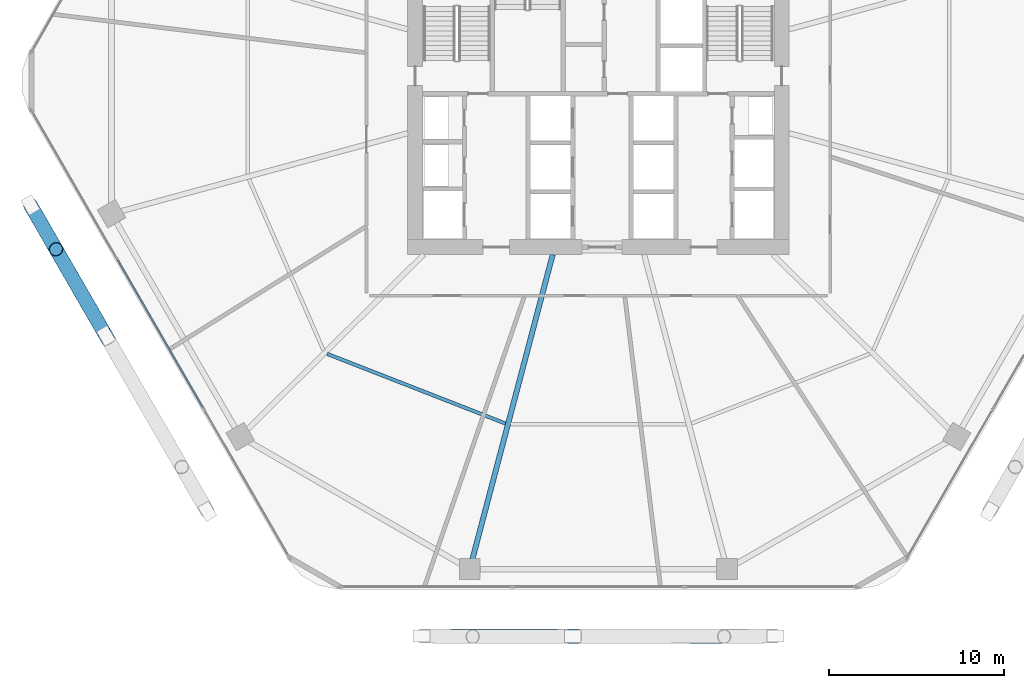
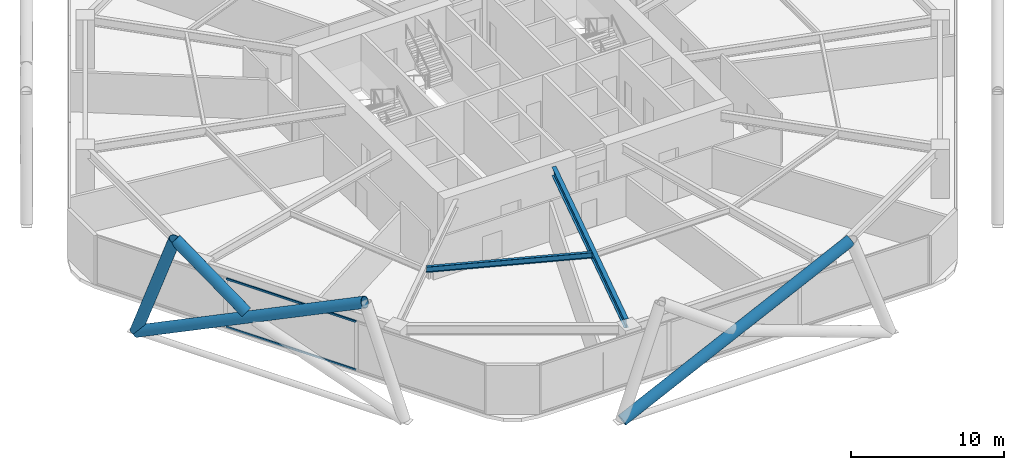
# One storey, part 4 of 28: 6 members, 2 beams, 1 element without a shape of its own.
"""IFC4 building model written with IfcOpenShell, lengths in metres."""

import ifcopenshell
import ifcopenshell.guid

model = None  # the IFC model being written
_history = None  # IfcOwnerHistory: only IFC2X3 demands one
_inside = {}  # id of a spatial element -> (the spatial element, [elements in it])
_under = {}  # id of a project, library or spatial element -> (it, [spatial elements below it])
_declared = {}  # id of a project -> (the project, [libraries it declares])
_typed = {}  # id of a type object -> (the type object, [elements of that type])
_made_of = {}  # id of a material, layer set ... -> (it, [elements and type objects made of it])


def new_model(schema):
    """Start an empty IFC model of exactly this schema.

    Asked for "IFC4X3", IfcOpenShell would pick the latest addendum, in which some entities
    have other attributes; the version numbers below select the first issue.
    IFC2X3 requires an IfcOwnerHistory on every rooted entity: one is made here for all.
    """
    global model, _history
    if schema == "IFC4X3":
        model = ifcopenshell.file(schema_version=(4, 3, 0, 0))
    else:
        model = ifcopenshell.file(schema=schema)
    _inside.clear()
    _under.clear()
    _declared.clear()
    _typed.clear()
    _made_of.clear()
    _history = None
    if model.schema == "IFC2X3":
        org = make("IfcOrganization", Name="unknown")
        user = make(
            "IfcPersonAndOrganization",
            ThePerson=make("IfcPerson", FamilyName="unknown"),
            TheOrganization=org,
        )
        app = make(
            "IfcApplication",
            ApplicationDeveloper=org,
            Version="unknown",
            ApplicationFullName="unknown",
            ApplicationIdentifier="unknown",
        )
        _history = make(
            "IfcOwnerHistory",
            OwningUser=user,
            OwningApplication=app,
            ChangeAction="ADDED",
            CreationDate=0,
        )
    return model


def make(cls, **values):
    """One entity of the class cls with the attributes given. An attribute that is None is left unset."""
    return model.create_entity(
        cls, **{name: value for name, value in values.items() if value is not None}
    )


def rooted(cls, **values):
    """An entity with a GlobalId (a new one), such as an element, a storey or a relation."""
    return make(cls, GlobalId=ifcopenshell.guid.new(), OwnerHistory=_history, **values)


def si_unit(unit_type, name, prefix=None):
    """IfcSIUnit, for example si_unit("LENGTHUNIT", "METRE", prefix="MILLI")."""
    return make("IfcSIUnit", UnitType=unit_type, Prefix=prefix, Name=name)


def assignment(units):
    """IfcUnitAssignment: the units of a project."""
    return None if units is None else make("IfcUnitAssignment", Units=units)


def point(xyz):
    """IfcCartesianPoint."""
    return None if xyz is None else make("IfcCartesianPoint", Coordinates=xyz)


def direction(xyz):
    """IfcDirection."""
    return None if xyz is None else make("IfcDirection", DirectionRatios=xyz)


def frame(location, z_axis=None, x_axis=None):
    """IfcAxis2Placement3D, a coordinate frame: its origin and axes. An axis left out is left unset."""
    return make(
        "IfcAxis2Placement3D",
        Location=point(location),
        Axis=direction(z_axis),
        RefDirection=direction(x_axis),
    )


def frame_2d(location, x_axis=None):
    """IfcAxis2Placement2D, a coordinate frame in the plane: its origin and x axis."""
    return make(
        "IfcAxis2Placement2D", Location=point(location), RefDirection=direction(x_axis)
    )


def origin():
    """The frame at (0, 0, 0) with its axes left unset."""
    return frame((0.0, 0.0, 0.0))


def origin_2d():
    """The frame at (0, 0) in the plane with its x axis left unset."""
    return frame_2d((0.0, 0.0))


def place(relative_to, where):
    """IfcLocalPlacement: puts the frame where relative to a parent placement (None: the world)."""
    return make(
        "IfcLocalPlacement", PlacementRelTo=relative_to, RelativePlacement=where
    )


def context(
    kind, dimensions, precision=None, world=None, true_north=None, identifier=None
):
    """IfcGeometricRepresentationContext, for example the 3D "Model" context."""
    return make(
        "IfcGeometricRepresentationContext",
        ContextIdentifier=identifier,
        ContextType=kind,
        CoordinateSpaceDimension=dimensions,
        Precision=precision,
        WorldCoordinateSystem=world,
        TrueNorth=true_north,
    )


def subcontext(parent, identifier, kind, view, scale=None):
    """IfcGeometricRepresentationSubContext, for example "Body" below "Model"."""
    return make(
        "IfcGeometricRepresentationSubContext",
        ContextIdentifier=identifier,
        ContextType=kind,
        ParentContext=parent,
        TargetScale=scale,
        TargetView=view,
    )


def project(units=None, contexts=None):
    """IfcProject with its units and contexts."""
    return rooted(
        "IfcProject",
        Name="project",
        RepresentationContexts=contexts,
        UnitsInContext=assignment(units),
    )


def spatial(cls, under=None, at=None, **own):
    """A site, building, storey or space (cls), placed at a placement, below another one or the project."""
    s = rooted(cls, ObjectPlacement=at, **own)
    if under is not None:
        _under.setdefault(under.id(), (under, []))[1].append(s)
    return s


def profile(cls, at=None, kind="AREA", **sizes):
    """A parametric profile (cls). Its sizes go by their IFC names, for example OverallWidth=200.0."""
    return make(cls, ProfileType=kind, Position=at, **sizes)


def hollow_rectangle(**sizes):
    """IfcRectangleHollowProfileDef."""
    return profile("IfcRectangleHollowProfileDef", **sizes)


def hollow_circle(**sizes):
    """IfcCircleHollowProfileDef."""
    return profile("IfcCircleHollowProfileDef", **sizes)


def i_section(**sizes):
    """IfcIShapeProfileDef."""
    return profile("IfcIShapeProfileDef", **sizes)


def extrude(swept, where, along, depth):
    """IfcExtrudedAreaSolid: the profile swept, set in the frame where, extruded along a direction by depth."""
    return make(
        "IfcExtrudedAreaSolid",
        SweptArea=swept,
        Position=where,
        ExtrudedDirection=direction(along),
        Depth=depth,
    )


def shape(context_of_items, identifier, shape_type, items):
    """IfcShapeRepresentation: the items that make up one representation, for example the "Body"."""
    return make(
        "IfcShapeRepresentation",
        ContextOfItems=context_of_items,
        RepresentationIdentifier=identifier,
        RepresentationType=shape_type,
        Items=items,
    )


def material(Name=None, Category=None):
    """IfcMaterial."""
    return make("IfcMaterial", Name=Name, Category=Category)


def material_profile(
    of_material, cross_section, Name=None, Category=None, Priority=None
):
    """IfcMaterialProfile: a cross section and its material."""
    return make(
        "IfcMaterialProfile",
        Name=Name,
        Material=of_material,
        Profile=cross_section,
        Priority=Priority,
        Category=Category,
    )


def profile_set(profiles, Name=None, composite=None):
    """IfcMaterialProfileSet."""
    return make(
        "IfcMaterialProfileSet",
        Name=Name,
        MaterialProfiles=profiles,
        CompositeProfile=composite,
    )


def made_of(thing, what):
    """Note that an element or type object is made of a material, layer set ...; save() writes the relation."""
    if what is not None:
        _made_of.setdefault(what.id(), (what, []))[1].append(thing)
    return thing


def type_object(cls, material=None, **own):
    """A type object (cls), such as IfcWallType, which elements share."""
    return made_of(rooted(cls, **own), material)


def element(
    cls,
    number,
    at=None,
    inside=None,
    cuts=None,
    type_object=None,
    material=None,
    context=None,
    identifier="Body",
    shape_type=None,
    held_by="IfcProductDefinitionShape",
    body=None,
    shapes=None,
    **own,
):
    """One element of the class cls, such as IfcWall. Its Tag is "e" and its number.

    at: its placement. inside: the storey or other place that contains it. cuts: it is an
    opening in that element (IfcRelVoidsElement). A single representation is given by context,
    identifier, shape_type and body (its items); several are given by shapes. held_by: the class
    of the entity that holds the representations. save() writes the other relations.
    """
    e = rooted(cls, Tag="e%d" % number, ObjectPlacement=at, **own)
    if body is not None:
        shapes = [shape(context, identifier, shape_type, body)]
    if shapes is not None:
        e.Representation = make(held_by, Representations=shapes)
    if inside is not None:
        _inside.setdefault(inside.id(), (inside, []))[1].append(e)
    if cuts is not None:
        rooted(
            "IfcRelVoidsElement", RelatingBuildingElement=cuts, RelatedOpeningElement=e
        )
    if type_object is not None:
        _typed.setdefault(type_object.id(), (type_object, []))[1].append(e)
    return made_of(e, material)


def aggregate(whole, parts):
    """IfcRelAggregates: a whole, such as a stair, and the parts it consists of."""
    return rooted("IfcRelAggregates", RelatingObject=whole, RelatedObjects=parts)


def save(model, path):
    """Write the relations noted so far, then the file.

    IfcRelAggregates (storeys below a building ...), IfcRelContainedInSpatialStructure (elements
    in a storey), IfcRelDefinesByType, IfcRelAssociatesMaterial and IfcRelDeclares: one each for
    every whole, place, type object, material and project.
    """
    for whole, parts in _under.values():
        aggregate(whole, parts)
    for where, things in _inside.values():
        rooted(
            "IfcRelContainedInSpatialStructure",
            RelatedElements=things,
            RelatingStructure=where,
        )
    for kind, things in _typed.values():
        rooted("IfcRelDefinesByType", RelatedObjects=things, RelatingType=kind)
    for what, things in _made_of.values():
        rooted("IfcRelAssociatesMaterial", RelatedObjects=things, RelatingMaterial=what)
    for by, libraries in _declared.values():
        rooted("IfcRelDeclares", RelatingContext=by, RelatedDefinitions=libraries)
    model.write(path)


model = new_model("IFC4")

# Units and contexts
model_context = context("Model", 3, precision=1e-05, world=origin(), true_north=direction((0.0, 1.0)))
body_context = subcontext(model_context, "Body", "Model", "MODEL_VIEW")
ifc_project = project(units=[si_unit("LENGTHUNIT", "METRE"), si_unit("AREAUNIT", "SQUARE_METRE"), si_unit("VOLUMEUNIT", "CUBIC_METRE"), si_unit("PLANEANGLEUNIT", "RADIAN"), si_unit("MASSUNIT", "GRAM", prefix="KILO")], contexts=[model_context])

# Site, building, storey
site_placement = place(None, origin())
site = spatial("IfcSite", under=ifc_project, at=site_placement, CompositionType="ELEMENT")
building_placement = place(site_placement, origin())
building = spatial("IfcBuilding", under=site, at=building_placement, Name="Zuhravey Tower", CompositionType="ELEMENT")
storey_placement = place(building_placement, frame((0.0, 0.0, 24.60009765625)))
storey = spatial("IfcBuildingStorey", under=building, at=storey_placement, Name="L06", CompositionType="ELEMENT", Elevation=24.60009765625)

# Curtain wall, members
ifc_material_1 = material(Name="Thermally broken anodised aluminium", Category="aluminium")
curtain_wall_type = type_object("IfcCurtainWallType", Name="School Low-E Unitised Curtain Wall CW1", PredefinedType="NOTDEFINED", material=ifc_material_1)
curtain_wall_placement = place(storey_placement, origin())
curtain_wall = element("IfcCurtainWall", 1, at=curtain_wall_placement, inside=storey, type_object=curtain_wall_type, Name="L06 CW1 CW-L06-F4-1", PredefinedType="NOTDEFINED")
ifc_material_2 = material(Name="Anodised aluminium", Category="aluminium")
ifc_material_profile_1 = material_profile(ifc_material_2, hollow_rectangle(XDim=0.090087890625, YDim=0.14990234375, WallThickness=0.0048828125, at=origin_2d()), Name="ALU-RHS-90x150x5")
ifc_profile_set_1 = profile_set([ifc_material_profile_1], Name="Anodised aluminium")
member_type_1 = type_object("IfcMemberType", Name="Curtain-Wall Transom 90x150", PredefinedType="USERDEFINED", material=ifc_profile_set_1)
member_1_placement = place(storey_placement, frame((13.365234375, 13.287353515625, 0.044921875), z_axis=(-0.499990498062, 0.866030889661, 0.0), x_axis=(-0.866030889661, -0.499990498062, 0.0)))
member_1 = element("IfcMember", 2, at=member_1_placement, type_object=member_type_1, Name="CW1 transom 2.1", ObjectType="TRANSOM", PredefinedType="USERDEFINED", context=body_context, shape_type="SweptSolid", body=[
    extrude(hollow_rectangle(XDim=0.090087890625, YDim=0.14990234375, WallThickness=0.0048828125, at=origin_2d()), origin(), (0.0, 0.0, 1.0), 9.776611328125),
])
member_2_placement = place(storey_placement, frame((13.365234375, 13.287353515625, 3.875), z_axis=(-0.499990498062, 0.866030889661, 0.0), x_axis=(-0.866030889661, -0.499990498062, 0.0)))
member_2 = element("IfcMember", 3, at=member_2_placement, type_object=member_type_1, Name="CW1 transom 2.2", ObjectType="TRANSOM", PredefinedType="USERDEFINED", context=body_context, shape_type="SweptSolid", body=[
    extrude(hollow_rectangle(XDim=0.090087890625, YDim=0.14990234375, WallThickness=0.0048828125, at=origin_2d()), origin(), (0.0, 0.0, 1.0), 9.776611328125),
])
aggregate(curtain_wall, [member_1, member_2])

# Members
ifc_material_3 = material(Name="Steel SM460", Category="steel")
ifc_material_profile_2 = material_profile(ifc_material_3, hollow_circle(Radius=0.406494140625, WallThickness=0.035888671875, at=origin_2d()), Name="CHS-812.8x36")
ifc_profile_set_2 = profile_set([ifc_material_profile_2], Name="Steel SM460")
member_type_2 = type_object("IfcMemberType", Name="Exoskeleton Zone 1 Diagrid CHS813x36", PredefinedType="BRACE", material=ifc_profile_set_2)
member_3_placement = place(storey_placement, frame((3.466552734375, 24.912841796875, -0.47216796875), z_axis=(0.165307317227, -0.286358046605, 0.943754501984), x_axis=(0.866053660865, 0.499951054106, 0.0)))
element("IfcMember", 4, at=member_3_placement, inside=storey, type_object=member_type_2, Name="L06 Face 4 Diagrid Brace 1", PredefinedType="BRACE", context=body_context, shape_type="SweptSolid", body=[
    extrude(hollow_circle(Radius=0.406494140625, WallThickness=0.035888671875, at=origin_2d()), origin(), (0.0, 0.0, 1.0), 8.85400390625),
])
member_4_placement = place(storey_placement, frame((3.4853515625, 24.880126953125, -0.47216796875), z_axis=(0.449932637588, -0.779312332372, 0.436156978902), x_axis=(0.866027110715, 0.499997043497, 0.0)))
element("IfcMember", 5, at=member_4_placement, inside=storey, type_object=member_type_2, Name="L06 Face 4 Diagrid Brace 2", PredefinedType="BRACE", context=body_context, shape_type="SweptSolid", body=[
    extrude(hollow_circle(Radius=0.406494140625, WallThickness=0.035888671875, at=origin_2d()), origin(), (0.0, 0.0, 1.0), 19.158203125),
])
member_5_placement = place(storey_placement, frame((7.635498046875, 17.69189453125, 3.9404296875), z_axis=(-0.403092056741, 0.69816190232, 0.59168129254), x_axis=(-0.866021056018, -0.500007530476, 0.0)))
element("IfcMember", 6, at=member_5_placement, inside=storey, type_object=member_type_2, Name="L06 Face 4 Split Diagrid Brace 3B", PredefinedType="BRACE", context=body_context, shape_type="SweptSolid", body=[
    extrude(hollow_circle(Radius=0.406494140625, WallThickness=0.035888671875, at=origin_2d()), origin(), (0.0, 0.0, 1.0), 6.6513671875),
])
member_6_placement = place(storey_placement, frame((25.90869140625, 0.221435546875, -0.47216796875), z_axis=(0.899868496349, -0.00155470525, 0.436158540177), x_axis=(0.001727700143, 0.999998507525, 0.0)))
element("IfcMember", 7, at=member_6_placement, inside=storey, type_object=member_type_2, Name="L06 Face 5 Diagrid Brace 2", PredefinedType="BRACE", context=body_context, shape_type="SweptSolid", body=[
    extrude(hollow_circle(Radius=0.406494140625, WallThickness=0.035888671875, at=origin_2d()), origin(), (0.0, 0.0, 1.0), 19.157958984375),
])

# Beams
ifc_material_4 = material(Name="Steel SM355", Category="steel")
ifc_material_profile_3 = material_profile(ifc_material_4, i_section(OverallWidth=0.300048828125, OverallDepth=0.699951171875, WebThickness=0.012939453125, FlangeThickness=0.02392578125, at=origin_2d()), Name="H-700x300x13x24")
ifc_profile_set_3 = profile_set([ifc_material_profile_3], Name="Steel SM355")
beam_type_1 = type_object("IfcBeamType", Name="Radial Primary Girder H700x300", PredefinedType="BEAM", material=ifc_profile_set_3)
beam_1_placement = place(storey_placement, frame((33.382080078125, 22.072021484375, 3.56982421875), z_axis=(-0.254989720435, -0.966943763862, 0.0), x_axis=(0.966943763862, -0.254989720435, 0.0)))
element("IfcBeam", 8, at=beam_1_placement, inside=storey, type_object=beam_type_1, Name="L06 RG1 BM-L06-RAD-09", PredefinedType="BEAM", context=body_context, shape_type="SweptSolid", body=[
    extrude(i_section(OverallWidth=0.300048828125, OverallDepth=0.699951171875, WebThickness=0.012939453125, FlangeThickness=0.02392578125, at=origin_2d()), origin(), (0.0, 0.0, 1.0), 18.03369140625),
])
ifc_material_profile_4 = material_profile(ifc_material_4, i_section(OverallWidth=0.199951171875, OverallDepth=0.449951171875, WebThickness=0.009033203125, FlangeThickness=0.013916015625, at=origin_2d()), Name="H-450x200x9x14")
ifc_profile_set_4 = profile_set([ifc_material_profile_4], Name="Steel SM355")
beam_type_2 = type_object("IfcBeamType", Name="Secondary Floor Joist H450x200", PredefinedType="JOIST", material=ifc_profile_set_4)
beam_2_placement = place(storey_placement, frame((20.4599609375, 16.38427734375, 3.69482421875), z_axis=(0.931516535886, -0.363698973562, 0.0), x_axis=(0.363698973562, 0.931516535886, 0.0)))
element("IfcBeam", 9, at=beam_2_placement, inside=storey, type_object=beam_type_2, Name="L06 SJ1 BM-L06-SJ-08-1", PredefinedType="JOIST", context=body_context, shape_type="SweptSolid", body=[
    extrude(i_section(OverallWidth=0.199951171875, OverallDepth=0.449951171875, WebThickness=0.009033203125, FlangeThickness=0.013916015625, at=origin_2d()), origin(), (0.0, 0.0, 1.0), 10.963134765625),
])

save(model, "model.ifc")
